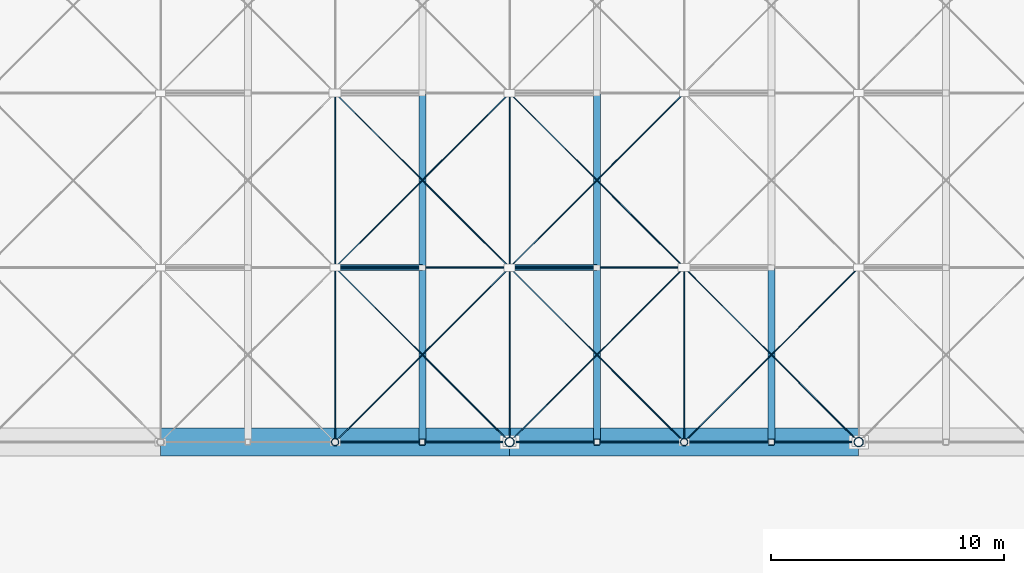
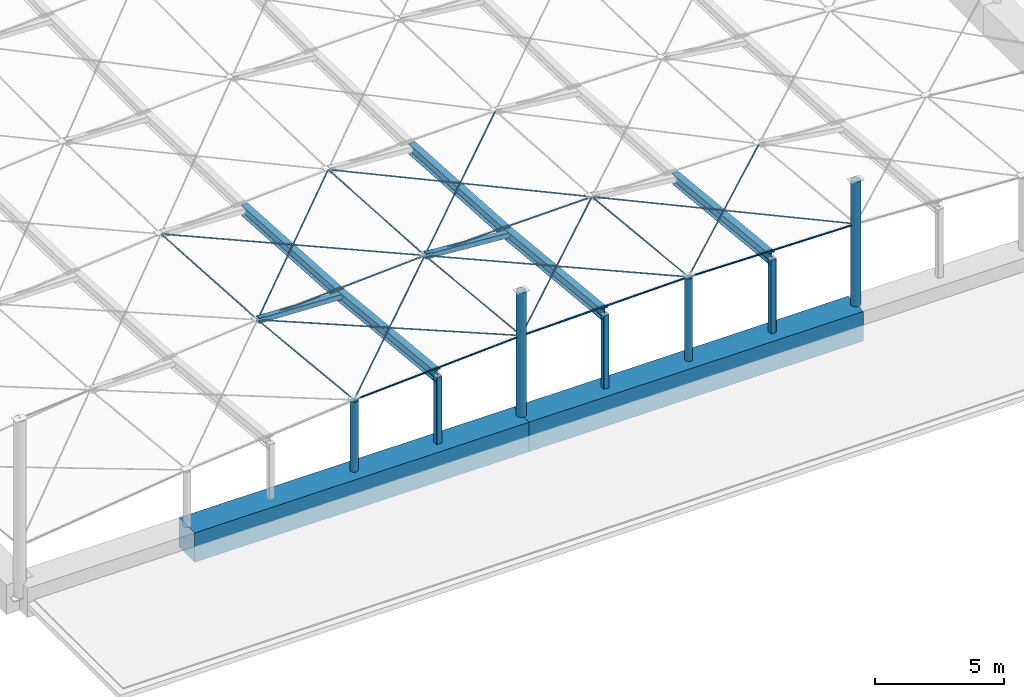
# One storey, part 3 of 17: 34 members, 2 beams.
"""IFC4 building model written with IfcOpenShell, lengths in metres."""

from ifc_helpers import new_model, si_unit, direction, frame, origin, origin_2d, place, context, subcontext, project, spatial, rectangle, hollow_rectangle, circle, hollow_circle, i_section, extrude, material, material_profile, profile_set, type_object, element, save


model = new_model("IFC4")

# Units and contexts
model_context = context("Model", 3, precision=1e-05, world=origin(), true_north=direction((0.0, 1.0)))
body_context = subcontext(model_context, "Body", "Model", "MODEL_VIEW")
ifc_project = project(units=[si_unit("LENGTHUNIT", "METRE"), si_unit("AREAUNIT", "SQUARE_METRE"), si_unit("VOLUMEUNIT", "CUBIC_METRE"), si_unit("PLANEANGLEUNIT", "RADIAN"), si_unit("MASSUNIT", "GRAM", prefix="KILO")], contexts=[model_context])

# Site, building, storey
site_placement = place(None, origin())
site = spatial("IfcSite", under=ifc_project, at=site_placement, CompositionType="ELEMENT")
building_placement = place(site_placement, origin())
building = spatial("IfcBuilding", under=site, at=building_placement, Name="Qasida Concert Hall", CompositionType="ELEMENT")
storey_placement = place(building_placement, frame((0.0, 0.0, 25.199951171875)))
storey = spatial("IfcBuildingStorey", under=building, at=storey_placement, Name="RF", CompositionType="ELEMENT", Elevation=25.199951171875)

# Beams
ifc_material_1 = material(Name="Concrete C50/60", Category="concrete")
ifc_material_profile_1 = material_profile(ifc_material_1, rectangle(XDim=1.199951171875, YDim=1.39990234375, at=origin_2d()), Name="RC 1200x1400")
ifc_profile_set_1 = profile_set([ifc_material_profile_1], Name="Concrete C50/60")
beam_type = type_object("IfcBeamType", Name="BM-RB1", PredefinedType="USERDEFINED", material=ifc_profile_set_1)
for number, where, z_axis, x_axis, name in (
    (1, (60.0, 22.5, 0.0), (1.0, 0.0, 0.0), (0.0, 1.0, 0.0), "Ring beam RB-002"),
    (2, (75.0, 22.5, 0.0), (1.0, 0.0, 0.0), (0.0, 1.0, 0.0), "Ring beam RB-003"),
):
    element("IfcBeam", number, at=place(storey_placement, frame(where, z_axis=z_axis, x_axis=x_axis)), inside=storey, type_object=beam_type, Name=name, ObjectType="GIRDER", PredefinedType="USERDEFINED", context=body_context, shape_type="SweptSolid", body=[
        extrude(rectangle(XDim=1.199951171875, YDim=1.39990234375, at=origin_2d()), origin(), (0.0, 0.0, 1.0), 15.0),
    ])

# Members
ifc_material_2 = material(Name="Steel S460N spiral strand EN 12385", Category="steel")
ifc_material_profile_2 = material_profile(ifc_material_2, circle(Radius=0.031982421875, at=origin_2d()), Name="STRAND D64")
ifc_profile_set_2 = profile_set([ifc_material_profile_2], Name="Steel S460N spiral strand EN 12385")
member_type_1 = type_object("IfcMemberType", Name="MB-CC1", PredefinedType="USERDEFINED", material=ifc_profile_set_2)
member_1_placement = place(storey_placement, frame((67.5, 22.5, 4.021240234375), z_axis=(0.998386899, 0.0, 0.056776754966), x_axis=(0.0, 1.0, 0.0)))
element("IfcMember", 3, at=member_1_placement, inside=storey, type_object=member_type_1, Name="Roof cable CC-003", ObjectType="TENSION_CABLE", PredefinedType="USERDEFINED", context=body_context, shape_type="SweptSolid", body=[
    extrude(circle(Radius=0.031982421875, at=origin_2d()), origin(), (0.0, 0.0, 1.0), 7.51220703125),
])
member_2_placement = place(storey_placement, frame((75.0, 22.5, 4.44775390625), z_axis=(0.999780337359, 0.0, 0.02095893676), x_axis=(0.0, 1.0, 0.0)))
element("IfcMember", 4, at=member_2_placement, inside=storey, type_object=member_type_1, Name="Roof cable CC-004", ObjectType="TENSION_CABLE", PredefinedType="USERDEFINED", context=body_context, shape_type="SweptSolid", body=[
    extrude(circle(Radius=0.031982421875, at=origin_2d()), origin(), (0.0, 0.0, 1.0), 7.501708984375),
])
member_3_placement = place(storey_placement, frame((82.5, 22.5, 4.60498046875), z_axis=(0.999887909135, 0.0, -0.014972279889), x_axis=(0.0, 1.0, 0.0)))
element("IfcMember", 5, at=member_3_placement, inside=storey, type_object=member_type_1, Name="Roof cable CC-005", ObjectType="TENSION_CABLE", PredefinedType="USERDEFINED", context=body_context, shape_type="SweptSolid", body=[
    extrude(circle(Radius=0.031982421875, at=origin_2d()), origin(), (0.0, 0.0, 1.0), 7.500732421875),
])
ifc_material_profile_3 = material_profile(ifc_material_2, circle(Radius=0.027099609375, at=origin_2d()), Name="STRAND D54")
ifc_profile_set_3 = profile_set([ifc_material_profile_3], Name="Steel S460N spiral strand EN 12385")
member_type_2 = type_object("IfcMemberType", Name="MB-CC2", PredefinedType="USERDEFINED", material=ifc_profile_set_3)
member_4_placement = place(storey_placement, frame((67.5, 30.0, 3.271240234375), z_axis=(0.998386899, 0.0, 0.056776754966), x_axis=(0.0, 1.0, 0.0)))
element("IfcMember", 6, at=member_4_placement, inside=storey, type_object=member_type_2, Name="Roof cable CC-010", ObjectType="TENSION_CABLE", PredefinedType="USERDEFINED", context=body_context, shape_type="SweptSolid", body=[
    extrude(circle(Radius=0.027099609375, at=origin_2d()), origin(), (0.0, 0.0, 1.0), 7.51220703125),
])
member_5_placement = place(storey_placement, frame((75.0, 30.0, 3.69775390625), z_axis=(0.999780337359, 0.0, 0.02095893676), x_axis=(0.0, 1.0, 0.0)))
element("IfcMember", 7, at=member_5_placement, inside=storey, type_object=member_type_2, Name="Roof cable CC-011", ObjectType="TENSION_CABLE", PredefinedType="USERDEFINED", context=body_context, shape_type="SweptSolid", body=[
    extrude(circle(Radius=0.027099609375, at=origin_2d()), origin(), (0.0, 0.0, 1.0), 7.501708984375),
])
ifc_material_3 = material(Name="Steel S355J2", Category="steel")
ifc_material_profile_4 = material_profile(ifc_material_3, i_section(OverallWidth=0.300048828125, OverallDepth=0.489990234375, WebThickness=0.011962890625, FlangeThickness=0.02294921875, FilletRadius=0.027099609375, at=origin_2d()), Name="HEA 500")
ifc_profile_set_4 = profile_set([ifc_material_profile_4], Name="Steel S355J2")
member_type_3 = type_object("IfcMemberType", Name="MB-PR3", PredefinedType="PURLIN", material=ifc_profile_set_4)
member_6_placement = place(storey_placement, frame((71.25, 22.5, 3.878173828125), z_axis=(0.0, 0.99503719021, -0.099503719021), x_axis=(-1.0, 0.0, 0.0)))
element("IfcMember", 8, at=member_6_placement, inside=storey, type_object=member_type_3, Name="Cable-net secondary rib RFR-027", PredefinedType="PURLIN", context=body_context, shape_type="SweptSolid", body=[
    extrude(i_section(OverallWidth=0.300048828125, OverallDepth=0.489990234375, WebThickness=0.011962890625, FlangeThickness=0.02294921875, FilletRadius=0.027099609375, at=origin_2d()), origin(), (0.0, 0.0, 1.0), 7.537353515625),
])
member_7_placement = place(storey_placement, frame((71.25, 30.0, 3.128173828125), z_axis=(0.0, 0.998001687114, -0.063187281297), x_axis=(-1.0, 0.0, 0.0)))
element("IfcMember", 9, at=member_7_placement, inside=storey, type_object=member_type_3, Name="Cable-net secondary rib RFR-028", PredefinedType="PURLIN", context=body_context, shape_type="SweptSolid", body=[
    extrude(i_section(OverallWidth=0.300048828125, OverallDepth=0.489990234375, WebThickness=0.011962890625, FlangeThickness=0.02294921875, FilletRadius=0.027099609375, at=origin_2d()), origin(), (0.0, 0.0, 1.0), 7.51513671875),
])
member_8_placement = place(storey_placement, frame((78.75, 22.5, 4.170166015625), z_axis=(0.0, 0.99503719021, -0.099503719021), x_axis=(-1.0, 0.0, 0.0)))
element("IfcMember", 10, at=member_8_placement, inside=storey, type_object=member_type_3, Name="Cable-net secondary rib RFR-044", PredefinedType="PURLIN", context=body_context, shape_type="SweptSolid", body=[
    extrude(i_section(OverallWidth=0.300048828125, OverallDepth=0.489990234375, WebThickness=0.011962890625, FlangeThickness=0.02294921875, FilletRadius=0.027099609375, at=origin_2d()), origin(), (0.0, 0.0, 1.0), 7.537353515625),
])
member_9_placement = place(storey_placement, frame((78.75, 30.0, 3.420166015625), z_axis=(0.0, 0.997999637928, -0.063219638522), x_axis=(-1.0, 0.0, 0.0)))
element("IfcMember", 11, at=member_9_placement, inside=storey, type_object=member_type_3, Name="Cable-net secondary rib RFR-045", PredefinedType="PURLIN", context=body_context, shape_type="SweptSolid", body=[
    extrude(i_section(OverallWidth=0.300048828125, OverallDepth=0.489990234375, WebThickness=0.011962890625, FlangeThickness=0.02294921875, FilletRadius=0.027099609375, at=origin_2d()), origin(), (0.0, 0.0, 1.0), 7.51513671875),
])
member_10_placement = place(storey_placement, frame((86.25, 22.5, 4.1923828125), z_axis=(0.0, 0.99503719021, -0.099503719021), x_axis=(-1.0, 0.0, 0.0)))
element("IfcMember", 12, at=member_10_placement, inside=storey, type_object=member_type_3, Name="Cable-net secondary rib RFR-061", PredefinedType="PURLIN", context=body_context, shape_type="SweptSolid", body=[
    extrude(i_section(OverallWidth=0.300048828125, OverallDepth=0.489990234375, WebThickness=0.011962890625, FlangeThickness=0.02294921875, FilletRadius=0.027099609375, at=origin_2d()), origin(), (0.0, 0.0, 1.0), 7.537353515625),
])
ifc_material_profile_5 = material_profile(ifc_material_2, circle(Radius=0.02197265625, at=origin_2d()), Name="STRAND D44")
ifc_profile_set_5 = profile_set([ifc_material_profile_5], Name="Steel S460N spiral strand EN 12385")
member_type_4 = type_object("IfcMemberType", Name="MB-SC1", PredefinedType="USERDEFINED", material=ifc_profile_set_5)
member_11_placement = place(storey_placement, frame((67.5, 22.5, 4.021240234375), z_axis=(0.0, 0.99503719021, -0.099503719021), x_axis=(-1.0, 0.0, 0.0)))
element("IfcMember", 13, at=member_11_placement, inside=storey, type_object=member_type_4, Name="Roof cable SC-017", ObjectType="TENSION_CABLE", PredefinedType="USERDEFINED", context=body_context, shape_type="SweptSolid", body=[
    extrude(circle(Radius=0.02197265625, at=origin_2d()), origin(), (0.0, 0.0, 1.0), 7.537353515625),
])
member_12_placement = place(storey_placement, frame((67.5, 30.0, 3.271240234375), z_axis=(0.0, 0.997999637928, -0.063219638522), x_axis=(-1.0, 0.0, 0.0)))
element("IfcMember", 14, at=member_12_placement, inside=storey, type_object=member_type_4, Name="Roof cable SC-018", ObjectType="TENSION_CABLE", PredefinedType="USERDEFINED", context=body_context, shape_type="SweptSolid", body=[
    extrude(circle(Radius=0.02197265625, at=origin_2d()), origin(), (0.0, 0.0, 1.0), 7.51513671875),
])
member_13_placement = place(storey_placement, frame((75.0, 22.5, 4.44775390625), z_axis=(0.0, 0.99503719021, -0.099503719021), x_axis=(-1.0, 0.0, 0.0)))
element("IfcMember", 15, at=member_13_placement, inside=storey, type_object=member_type_4, Name="Roof cable SC-025", ObjectType="TENSION_CABLE", PredefinedType="USERDEFINED", context=body_context, shape_type="SweptSolid", body=[
    extrude(circle(Radius=0.02197265625, at=origin_2d()), origin(), (0.0, 0.0, 1.0), 7.537353515625),
])
member_14_placement = place(storey_placement, frame((75.0, 30.0, 3.69775390625), z_axis=(0.0, 0.998001687114, -0.063187281297), x_axis=(-1.0, 0.0, 0.0)))
element("IfcMember", 16, at=member_14_placement, inside=storey, type_object=member_type_4, Name="Roof cable SC-026", ObjectType="TENSION_CABLE", PredefinedType="USERDEFINED", context=body_context, shape_type="SweptSolid", body=[
    extrude(circle(Radius=0.02197265625, at=origin_2d()), origin(), (0.0, 0.0, 1.0), 7.51513671875),
])
member_15_placement = place(storey_placement, frame((82.5, 22.5, 4.60498046875), z_axis=(0.0, 0.99503719021, -0.099503719021), x_axis=(-1.0, 0.0, 0.0)))
element("IfcMember", 17, at=member_15_placement, inside=storey, type_object=member_type_4, Name="Roof cable SC-033", ObjectType="TENSION_CABLE", PredefinedType="USERDEFINED", context=body_context, shape_type="SweptSolid", body=[
    extrude(circle(Radius=0.02197265625, at=origin_2d()), origin(), (0.0, 0.0, 1.0), 7.537353515625),
])
member_16_placement = place(storey_placement, frame((67.5, 22.5, 4.021240234375), z_axis=(0.706778147938, 0.706778147938, -0.03048440905), x_axis=(-0.707106781187, 0.707106781187, 0.0)))
element("IfcMember", 18, at=member_16_placement, inside=storey, type_object=member_type_4, Name="Roof cable diagonal DC-033", ObjectType="TENSION_CABLE", PredefinedType="USERDEFINED", context=body_context, shape_type="SweptSolid", body=[
    extrude(circle(Radius=0.02197265625, at=origin_2d()), origin(), (0.0, 0.0, 1.0), 10.611572265625),
])
member_17_placement = place(storey_placement, frame((67.5, 30.0, 3.271240234375), z_axis=(0.702796444041, -0.702796444041, 0.110246616661), x_axis=(0.707106781187, 0.707106781187, 0.0)))
element("IfcMember", 19, at=member_17_placement, inside=storey, type_object=member_type_4, Name="Roof cable diagonal DC-034", ObjectType="TENSION_CABLE", PredefinedType="USERDEFINED", context=body_context, shape_type="SweptSolid", body=[
    extrude(circle(Radius=0.02197265625, at=origin_2d()), origin(), (0.0, 0.0, 1.0), 10.671630859375),
])
member_18_placement = place(storey_placement, frame((67.5, 30.0, 3.271240234375), z_axis=(0.707099437634, 0.707099437634, -0.004557476844), x_axis=(-0.707106781187, 0.707106781187, 0.0)))
element("IfcMember", 20, at=member_18_placement, inside=storey, type_object=member_type_4, Name="Roof cable diagonal DC-035", ObjectType="TENSION_CABLE", PredefinedType="USERDEFINED", context=body_context, shape_type="SweptSolid", body=[
    extrude(circle(Radius=0.02197265625, at=origin_2d()), origin(), (0.0, 0.0, 1.0), 10.606689453125),
])
member_19_placement = place(storey_placement, frame((67.5, 37.5, 2.796142578125), z_axis=(0.704565835586, -0.704565835586, 0.084699271837), x_axis=(0.707106781187, 0.707106781187, 0.0)))
element("IfcMember", 21, at=member_19_placement, inside=storey, type_object=member_type_4, Name="Roof cable diagonal DC-036", ObjectType="TENSION_CABLE", PredefinedType="USERDEFINED", context=body_context, shape_type="SweptSolid", body=[
    extrude(circle(Radius=0.02197265625, at=origin_2d()), origin(), (0.0, 0.0, 1.0), 10.644775390625),
])
member_20_placement = place(storey_placement, frame((75.0, 22.5, 4.44775390625), z_axis=(0.706005079394, 0.706005079394, -0.055800141041), x_axis=(-0.707106781187, 0.707106781187, 0.0)))
element("IfcMember", 22, at=member_20_placement, inside=storey, type_object=member_type_4, Name="Roof cable diagonal DC-049", ObjectType="TENSION_CABLE", PredefinedType="USERDEFINED", context=body_context, shape_type="SweptSolid", body=[
    extrude(circle(Radius=0.02197265625, at=origin_2d()), origin(), (0.0, 0.0, 1.0), 10.623046875),
])
member_21_placement = place(storey_placement, frame((75.0, 30.0, 3.69775390625), z_axis=(0.704534260063, -0.704534260063, 0.085222959323), x_axis=(0.707106781187, 0.707106781187, 0.0)))
element("IfcMember", 23, at=member_21_placement, inside=storey, type_object=member_type_4, Name="Roof cable diagonal DC-050", ObjectType="TENSION_CABLE", PredefinedType="USERDEFINED", context=body_context, shape_type="SweptSolid", body=[
    extrude(circle(Radius=0.02197265625, at=origin_2d()), origin(), (0.0, 0.0, 1.0), 10.645263671875),
])
member_22_placement = place(storey_placement, frame((75.0, 30.0, 3.69775390625), z_axis=(0.706789450457, 0.706789450457, -0.029955724756), x_axis=(-0.707106781187, 0.707106781187, 0.0)))
element("IfcMember", 24, at=member_22_placement, inside=storey, type_object=member_type_4, Name="Roof cable diagonal DC-051", ObjectType="TENSION_CABLE", PredefinedType="USERDEFINED", context=body_context, shape_type="SweptSolid", body=[
    extrude(circle(Radius=0.02197265625, at=origin_2d()), origin(), (0.0, 0.0, 1.0), 10.611328125),
])
member_23_placement = place(storey_placement, frame((75.0, 37.5, 3.222900390625), z_axis=(0.705854528928, -0.705854528928, 0.059487544772), x_axis=(0.707106781187, 0.707106781187, 0.0)))
element("IfcMember", 25, at=member_23_placement, inside=storey, type_object=member_type_4, Name="Roof cable diagonal DC-052", ObjectType="TENSION_CABLE", PredefinedType="USERDEFINED", context=body_context, shape_type="SweptSolid", body=[
    extrude(circle(Radius=0.02197265625, at=origin_2d()), origin(), (0.0, 0.0, 1.0), 10.62548828125),
])
member_24_placement = place(storey_placement, frame((82.5, 22.5, 4.60498046875), z_axis=(0.704781488538, 0.704781488538, -0.081031517497), x_axis=(-0.707106781187, 0.707106781187, 0.0)))
element("IfcMember", 26, at=member_24_placement, inside=storey, type_object=member_type_4, Name="Roof cable diagonal DC-065", ObjectType="TENSION_CABLE", PredefinedType="USERDEFINED", context=body_context, shape_type="SweptSolid", body=[
    extrude(circle(Radius=0.02197265625, at=origin_2d()), origin(), (0.0, 0.0, 1.0), 10.6416015625),
])
member_25_placement = place(storey_placement, frame((82.5, 30.0, 3.85498046875), z_axis=(0.705832241122, -0.705832241122, 0.060014121543), x_axis=(0.707106781187, 0.707106781187, 0.0)))
element("IfcMember", 27, at=member_25_placement, inside=storey, type_object=member_type_4, Name="Roof cable diagonal DC-066", ObjectType="TENSION_CABLE", PredefinedType="USERDEFINED", context=body_context, shape_type="SweptSolid", body=[
    extrude(circle(Radius=0.02197265625, at=origin_2d()), origin(), (0.0, 0.0, 1.0), 10.625732421875),
])
ifc_material_profile_6 = material_profile(ifc_material_3, hollow_circle(Radius=0.203125, WallThickness=0.02001953125, at=origin_2d()), Name="CHS 406.4x20")
ifc_profile_set_6 = profile_set([ifc_material_profile_6], Name="Steel S355J2")
member_type_5 = type_object("IfcMemberType", Name="MB-ST2", PredefinedType="STRUT", material=ifc_profile_set_6)
for number, where, z_axis, x_axis, name in (
    (28, (75.0, 22.5, 0.0), (0.0, 0.0, 1.0), (1.0, 0.0, 0.0), "Cable-net mast MS-05"),
    (29, (90.0, 22.5, 0.0), (0.0, 0.0, 1.0), (1.0, 0.0, 0.0), "Cable-net mast MS-06"),
):
    element("IfcMember", number, at=place(storey_placement, frame(where, z_axis=z_axis, x_axis=x_axis)), inside=storey, type_object=member_type_5, Name=name, PredefinedType="STRUT", context=body_context, shape_type="SweptSolid", body=[
        extrude(hollow_circle(Radius=0.203125, WallThickness=0.02001953125, at=origin_2d()), origin(), (0.0, 0.0, 1.0), 6.60009765625),
    ])
ifc_material_profile_7 = material_profile(ifc_material_3, hollow_circle(Radius=0.161865234375, WallThickness=0.01611328125, at=origin_2d()), Name="CHS 323.9x16")
ifc_profile_set_7 = profile_set([ifc_material_profile_7], Name="Steel S355J2")
member_type_6 = type_object("IfcMemberType", Name="MB-ST3", PredefinedType="STRUT", material=ifc_profile_set_7)
member_26_placement = place(storey_placement, frame((67.5, 22.5, 0.0), z_axis=(0.0, 0.0, 1.0), x_axis=(1.0, 0.0, 0.0)))
element("IfcMember", 30, at=member_26_placement, inside=storey, type_object=member_type_6, Name="Roof ring-beam edge strut EST-010", PredefinedType="STRUT", context=body_context, shape_type="SweptSolid", body=[
    extrude(hollow_circle(Radius=0.161865234375, WallThickness=0.01611328125, at=origin_2d()), origin(), (0.0, 0.0, 1.0), 4.021240234375),
])
member_27_placement = place(storey_placement, frame((82.5, 22.5, 0.0), z_axis=(0.0, 0.0, 1.0), x_axis=(1.0, 0.0, 0.0)))
element("IfcMember", 31, at=member_27_placement, inside=storey, type_object=member_type_6, Name="Roof ring-beam edge strut EST-012", PredefinedType="STRUT", context=body_context, shape_type="SweptSolid", body=[
    extrude(hollow_circle(Radius=0.161865234375, WallThickness=0.01611328125, at=origin_2d()), origin(), (0.0, 0.0, 1.0), 4.60498046875),
])
ifc_material_profile_8 = material_profile(ifc_material_3, hollow_rectangle(XDim=0.25, YDim=0.25, WallThickness=0.012451171875, InnerFilletRadius=0.012451171875, OuterFilletRadius=0.02490234375, at=origin_2d()), Name="SHS 250x250x12.5")
ifc_profile_set_8 = profile_set([ifc_material_profile_8], Name="Steel S355J2")
member_type_7 = type_object("IfcMemberType", Name="MB-ST5", PredefinedType="STRUT", material=ifc_profile_set_8)
member_28_placement = place(storey_placement, frame((71.25, 22.5, 0.0), z_axis=(0.0, 0.0, 1.0), x_axis=(1.0, 0.0, 0.0)))
element("IfcMember", 32, at=member_28_placement, inside=storey, type_object=member_type_7, Name="Cable-net rib post RFRE-018", PredefinedType="STRUT", context=body_context, shape_type="SweptSolid", body=[
    extrude(hollow_rectangle(XDim=0.25, YDim=0.25, WallThickness=0.012451171875, InnerFilletRadius=0.012451171875, OuterFilletRadius=0.02490234375, at=origin_2d()), origin(), (0.0, 0.0, 1.0), 3.878173828125),
])
member_29_placement = place(storey_placement, frame((67.5, 30.0, 3.271240234375), z_axis=(0.99927304248, 0.0, -0.03812330748), x_axis=(0.0, 1.0, 0.0)))
element("IfcMember", 33, at=member_29_placement, inside=storey, type_object=member_type_7, Name="Cable-net rib hanger strut RFRH-020", PredefinedType="STRUT", context=body_context, shape_type="SweptSolid", body=[
    extrude(hollow_rectangle(XDim=0.25, YDim=0.25, WallThickness=0.012451171875, InnerFilletRadius=0.012451171875, OuterFilletRadius=0.02490234375, at=origin_2d()), origin(), (0.0, 0.0, 1.0), 3.752685546875),
])
member_30_placement = place(storey_placement, frame((78.75, 22.5, 0.0), z_axis=(0.0, 0.0, 1.0), x_axis=(1.0, 0.0, 0.0)))
element("IfcMember", 34, at=member_30_placement, inside=storey, type_object=member_type_7, Name="Cable-net rib post RFRE-035", PredefinedType="STRUT", context=body_context, shape_type="SweptSolid", body=[
    extrude(hollow_rectangle(XDim=0.25, YDim=0.25, WallThickness=0.012451171875, InnerFilletRadius=0.012451171875, OuterFilletRadius=0.02490234375, at=origin_2d()), origin(), (0.0, 0.0, 1.0), 4.170166015625),
])
member_31_placement = place(storey_placement, frame((75.0, 30.0, 3.69775390625), z_axis=(0.997271473402, 0.0, -0.073821462582), x_axis=(0.0, 1.0, 0.0)))
element("IfcMember", 35, at=member_31_placement, inside=storey, type_object=member_type_7, Name="Cable-net rib hanger strut RFRH-037", PredefinedType="STRUT", context=body_context, shape_type="SweptSolid", body=[
    extrude(hollow_rectangle(XDim=0.25, YDim=0.25, WallThickness=0.012451171875, InnerFilletRadius=0.012451171875, OuterFilletRadius=0.02490234375, at=origin_2d()), origin(), (0.0, 0.0, 1.0), 3.76025390625),
])
member_32_placement = place(storey_placement, frame((86.25, 22.5, 0.0), z_axis=(0.0, 0.0, 1.0), x_axis=(1.0, 0.0, 0.0)))
element("IfcMember", 36, at=member_32_placement, inside=storey, type_object=member_type_7, Name="Cable-net rib post RFRE-052", PredefinedType="STRUT", context=body_context, shape_type="SweptSolid", body=[
    extrude(hollow_rectangle(XDim=0.25, YDim=0.25, WallThickness=0.012451171875, InnerFilletRadius=0.012451171875, OuterFilletRadius=0.02490234375, at=origin_2d()), origin(), (0.0, 0.0, 1.0), 4.1923828125),
])

save(model, "model.ifc")
